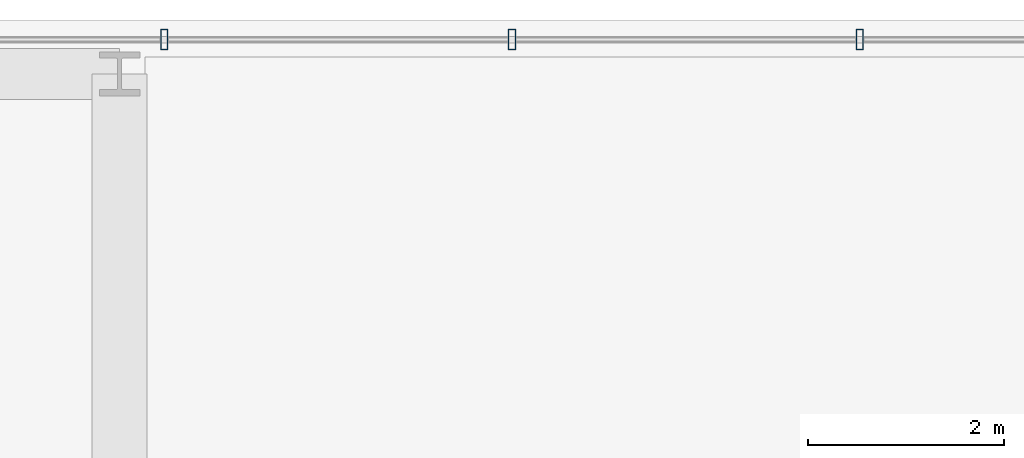
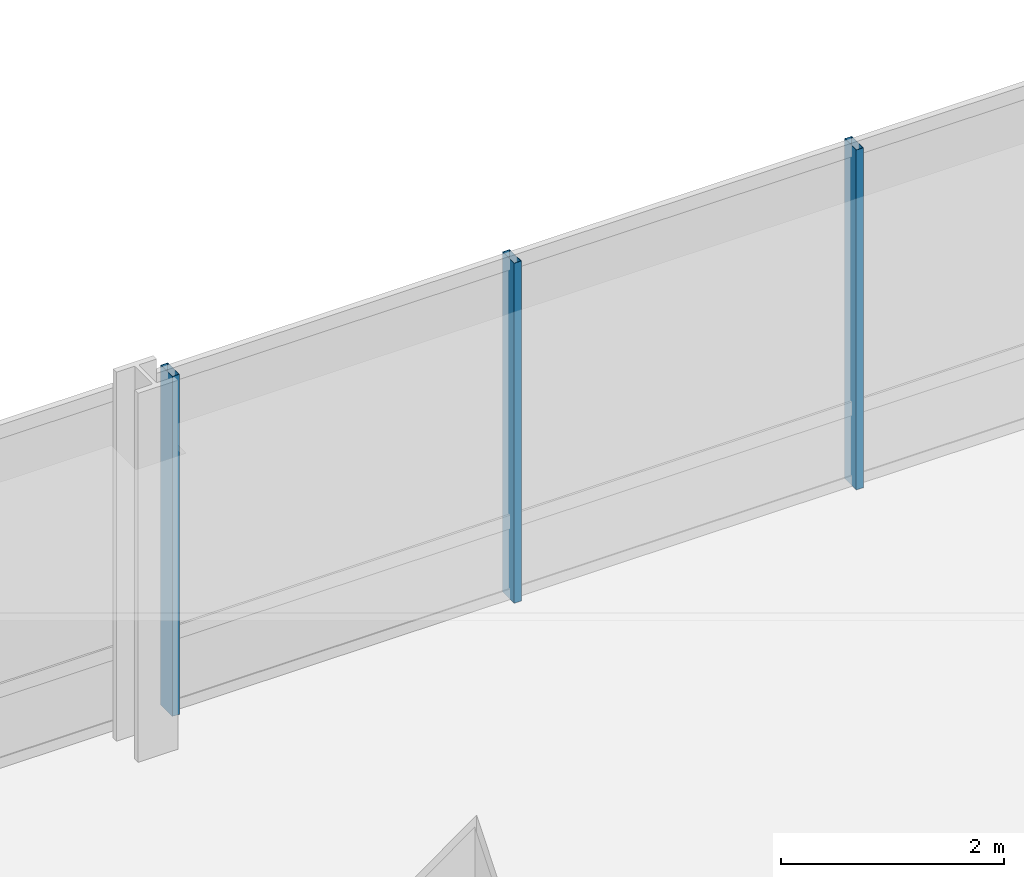
# One storey, part 24 of 33: 3 members, 1 element without a shape of its own.
"""IFC4 building model written with IfcOpenShell, lengths in metres."""

from ifc_helpers import new_model, si_unit, direction, frame, origin, origin_2d, place, context, subcontext, project, spatial, hollow_rectangle, extrude, material, material_profile, profile_set, type_object, element, aggregate, save


model = new_model("IFC4")

# Units and contexts
model_context = context("Model", 3, precision=1e-05, world=origin(), true_north=direction((0.0, 1.0)))
body_context = subcontext(model_context, "Body", "Model", "MODEL_VIEW")
ifc_project = project(units=[si_unit("LENGTHUNIT", "METRE"), si_unit("AREAUNIT", "SQUARE_METRE"), si_unit("VOLUMEUNIT", "CUBIC_METRE"), si_unit("PLANEANGLEUNIT", "RADIAN"), si_unit("MASSUNIT", "GRAM", prefix="KILO")], contexts=[model_context])

# Site, building, storey
site_placement = place(None, origin())
site = spatial("IfcSite", under=ifc_project, at=site_placement, CompositionType="ELEMENT")
building_placement = place(site_placement, origin())
building = spatial("IfcBuilding", under=site, at=building_placement, Name="Punatoya Terracotta Tower", CompositionType="ELEMENT")
storey_placement = place(building_placement, frame((0.0, 0.0, 121.35009765625)))
storey = spatial("IfcBuildingStorey", under=building, at=storey_placement, Name="L28", CompositionType="ELEMENT", Elevation=121.35009765625)

# Curtain wall, members
ifc_material_1 = material(Name="Aluminium 6063-T6 + Double Low-E Glass", Category="aluminium")
curtain_wall_type = type_object("IfcCurtainWallType", Name="CW-M1", PredefinedType="NOTDEFINED", material=ifc_material_1)
curtain_wall_placement = place(storey_placement, origin())
curtain_wall = element("IfcCurtainWall", 1, at=curtain_wall_placement, inside=storey, type_object=curtain_wall_type, Name="L28 Curtain Wall CW-L28-N08-1", PredefinedType="NOTDEFINED")
ifc_material_2 = material(Name="Aluminium 6063-T6", Category="aluminium")
ifc_material_profile = material_profile(ifc_material_2, hollow_rectangle(XDim=0.074951171875, YDim=0.2099609375, WallThickness=0.00439453125, at=origin_2d()))
ifc_profile_set = profile_set([ifc_material_profile], Name="Aluminium 6063-T6")
member_type = type_object("IfcMemberType", Name="CW-MUL-M1", PredefinedType="MULLION", material=ifc_profile_set)
member_1_placement = place(storey_placement, frame((11.3525390625, 23.25, 0.0), z_axis=(0.0, 0.0, 1.0), x_axis=(1.0, 0.0, 0.0)))
member_1 = element("IfcMember", 2, at=member_1_placement, type_object=member_type, Name="CW-L28-N08-1 Mullion 02", PredefinedType="MULLION", context=body_context, shape_type="SweptSolid", body=[
    extrude(hollow_rectangle(XDim=0.074951171875, YDim=0.2099609375, WallThickness=0.00439453125, at=origin_2d()), origin(), (0.0, 0.0, 1.0), 3.72998046875),
])
member_2_placement = place(storey_placement, frame((7.803955078125, 23.25, 0.0), z_axis=(0.0, 0.0, 1.0), x_axis=(1.0, 0.0, 0.0)))
member_2 = element("IfcMember", 3, at=member_2_placement, type_object=member_type, Name="CW-L28-N08-1 Mullion 03", PredefinedType="MULLION", context=body_context, shape_type="SweptSolid", body=[
    extrude(hollow_rectangle(XDim=0.074951171875, YDim=0.2099609375, WallThickness=0.00439453125, at=origin_2d()), origin(), (0.0, 0.0, 1.0), 3.72998046875),
])
member_3_placement = place(storey_placement, frame((4.255126953125, 23.25, 0.0), z_axis=(0.0, 0.0, 1.0), x_axis=(1.0, 0.0, 0.0)))
member_3 = element("IfcMember", 4, at=member_3_placement, type_object=member_type, Name="CW-L28-N08-1 Mullion 04", PredefinedType="MULLION", context=body_context, shape_type="SweptSolid", body=[
    extrude(hollow_rectangle(XDim=0.074951171875, YDim=0.2099609375, WallThickness=0.00439453125, at=origin_2d()), origin(), (0.0, 0.0, 1.0), 3.72998046875),
])
aggregate(curtain_wall, [member_1, member_2, member_3])

save(model, "model.ifc")
